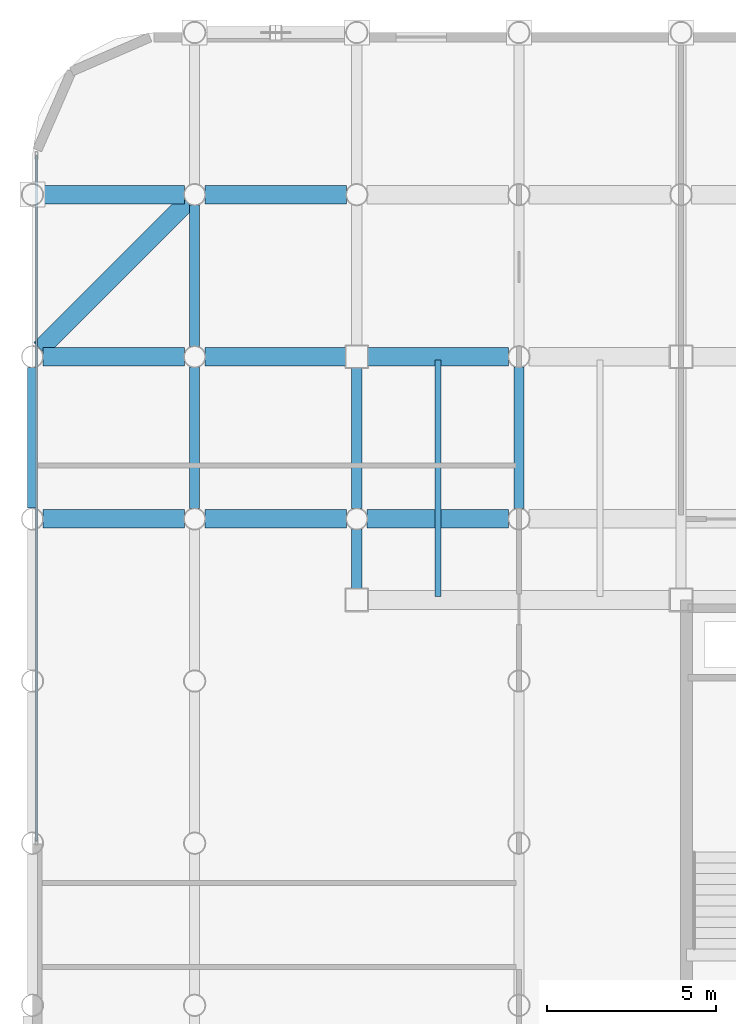
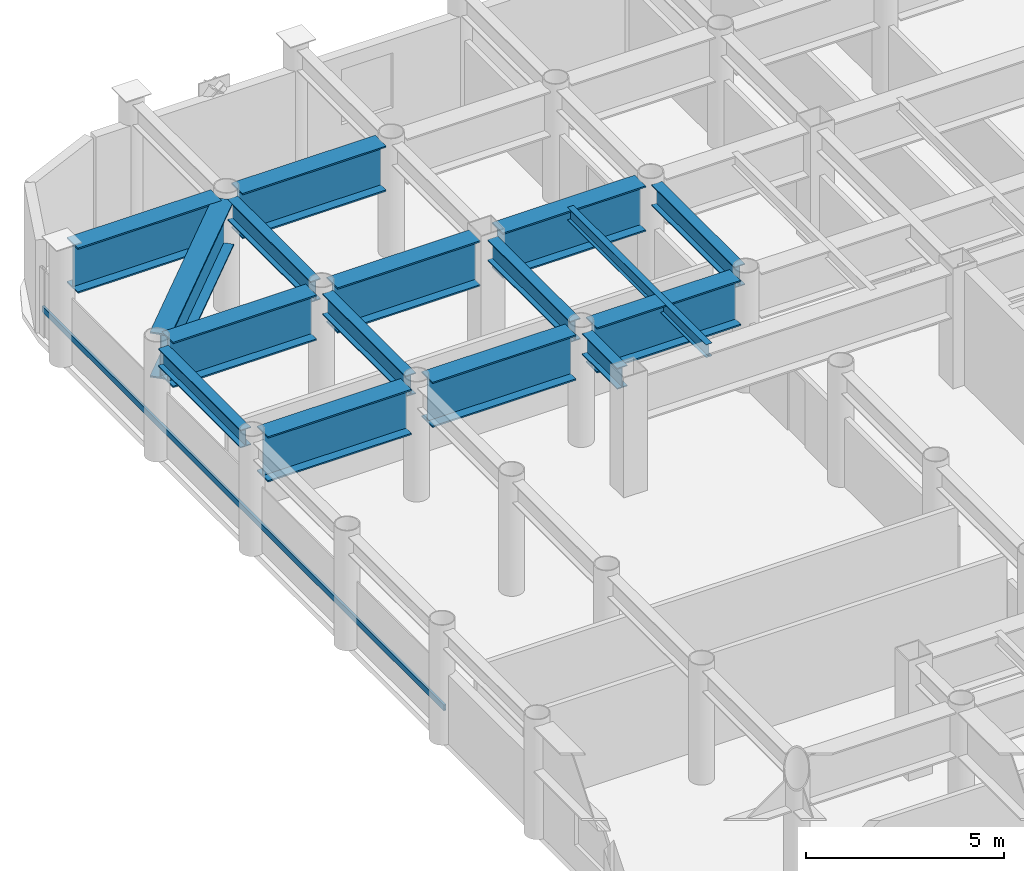
# One storey, part 11 of 24: 16 beams, 1 member, 1 element without a shape of its own.
"""IFC4 building model written with IfcOpenShell, lengths in metres."""

from ifc_helpers import new_model, si_unit, direction, frame, origin, origin_2d, place, context, subcontext, project, spatial, hollow_rectangle, i_section, extrude, material, layer, layer_set, material_profile, profile_set, type_object, element, aggregate, save


model = new_model("IFC4")

# Units and contexts
model_context = context("Model", 3, precision=1e-05, world=origin(), true_north=direction((0.0, 1.0)))
body_context = subcontext(model_context, "Body", "Model", "MODEL_VIEW")
ifc_project = project(units=[si_unit("LENGTHUNIT", "METRE"), si_unit("AREAUNIT", "SQUARE_METRE"), si_unit("VOLUMEUNIT", "CUBIC_METRE"), si_unit("PLANEANGLEUNIT", "RADIAN"), si_unit("MASSUNIT", "GRAM", prefix="KILO")], contexts=[model_context])

# Site, building, storey
site_placement = place(None, origin())
site = spatial("IfcSite", under=ifc_project, at=site_placement, CompositionType="ELEMENT")
building_placement = place(site_placement, origin())
building = spatial("IfcBuilding", under=site, at=building_placement, Name="Kallvorn Hotel Tower", CompositionType="ELEMENT")
storey_placement = place(building_placement, frame((0.0, 0.0, 150.699951171875)))
storey = spatial("IfcBuildingStorey", under=building, at=storey_placement, Name="L37", CompositionType="ELEMENT", Elevation=150.699951171875)

# Beams
ifc_material_1 = material(Name="Structural steel S355JR", Category="steel")
ifc_material_profile_1 = material_profile(ifc_material_1, i_section(OverallWidth=0.300048828125, OverallDepth=0.550048828125, WebThickness=0.014892578125, FlangeThickness=0.029052734375, at=origin_2d()), Name="HE 550 B")
ifc_profile_set_1 = profile_set([ifc_material_profile_1], Name="Structural steel S355JR")
beam_type_1 = type_object("IfcBeamType", Name="BM_HE550B", PredefinedType="SPANDREL", material=ifc_profile_set_1)
beam_1_placement = place(storey_placement, frame((-33.60009765625, 9.919921875, 3.2451171875), z_axis=(0.0, 1.0, 0.0), x_axis=(-1.0, 0.0, 0.0)))
element("IfcBeam", 1, at=beam_1_placement, inside=storey, type_object=beam_type_1, Name="L38 Perimeter Spandrel 193", PredefinedType="SPANDREL", context=body_context, shape_type="SweptSolid", body=[
    extrude(i_section(OverallWidth=0.300048828125, OverallDepth=0.550048828125, WebThickness=0.014892578125, FlangeThickness=0.029052734375, at=origin_2d()), origin(), (0.0, 0.0, 1.0), 4.16015625),
])
ifc_material_2 = material(Name="Structural steel S355JR", Category="steel")
ifc_material_profile_2 = material_profile(ifc_material_2, i_section(OverallWidth=0.300048828125, OverallDepth=0.64990234375, WebThickness=0.01611328125, FlangeThickness=0.031005859375, at=origin_2d()), Name="HE 650 B")
ifc_profile_set_2 = profile_set([ifc_material_profile_2], Name="Structural steel S355JR")
beam_type_2 = type_object("IfcBeamType", Name="BM_HE650B", PredefinedType="BEAM", material=ifc_profile_set_2)
for number, where, z_axis, x_axis, name in (
    (2, (-28.800048828125, 9.905029296875, 3.195068359375), (0.0, 1.0, 0.0), (-1.0, 0.0, 0.0), "L38 Primary Y-Girder 92"),
    (3, (-28.800048828125, 14.705078125, 3.195068359375), (0.0, 1.0, 0.0), (-1.0, 0.0, 0.0), "L38 Primary Y-Girder 93"),
):
    element("IfcBeam", number, at=place(storey_placement, frame(where, z_axis=z_axis, x_axis=x_axis)), inside=storey, type_object=beam_type_2, Name=name, PredefinedType="BEAM", context=body_context, shape_type="SweptSolid", body=[
        extrude(i_section(OverallWidth=0.300048828125, OverallDepth=0.64990234375, WebThickness=0.01611328125, FlangeThickness=0.031005859375, at=origin_2d()), origin(), (0.0, 0.0, 1.0), 4.18994140625),
    ])
beam_2_placement = place(storey_placement, frame((-24.0, 7.52490234375, 3.195068359375), z_axis=(0.0, 1.0, 0.0), x_axis=(-1.0, 0.0, 0.0)))
element("IfcBeam", 4, at=beam_2_placement, inside=storey, type_object=beam_type_2, Name="L38 Primary Y-Girder 98", PredefinedType="BEAM", context=body_context, shape_type="SweptSolid", body=[
    extrude(i_section(OverallWidth=0.300048828125, OverallDepth=0.64990234375, WebThickness=0.01611328125, FlangeThickness=0.031005859375, at=origin_2d()), origin(), (0.0, 0.0, 1.0), 1.77001953125),
])
beam_3_placement = place(storey_placement, frame((-24.0, 9.905029296875, 3.195068359375), z_axis=(0.0, 1.0, 0.0), x_axis=(-1.0, 0.0, 0.0)))
element("IfcBeam", 5, at=beam_3_placement, inside=storey, type_object=beam_type_2, Name="L38 Primary Y-Girder 99", PredefinedType="BEAM", context=body_context, shape_type="SweptSolid", body=[
    extrude(i_section(OverallWidth=0.300048828125, OverallDepth=0.64990234375, WebThickness=0.01611328125, FlangeThickness=0.031005859375, at=origin_2d()), origin(), (0.0, 0.0, 1.0), 4.169921875),
])
beam_4_placement = place(storey_placement, frame((-19.199951171875, 9.905029296875, 3.195068359375), z_axis=(0.0, 1.0, 0.0), x_axis=(-1.0, 0.0, 0.0)))
element("IfcBeam", 6, at=beam_4_placement, inside=storey, type_object=beam_type_2, Name="L38 Primary Y-Girder 108", PredefinedType="BEAM", context=body_context, shape_type="SweptSolid", body=[
    extrude(i_section(OverallWidth=0.300048828125, OverallDepth=0.64990234375, WebThickness=0.01611328125, FlangeThickness=0.031005859375, at=origin_2d()), origin(), (0.0, 0.0, 1.0), 4.18994140625),
])
ifc_material_3 = material(Name="Structural steel S355JR", Category="steel")
ifc_material_profile_3 = material_profile(ifc_material_3, i_section(OverallWidth=0.179931640625, OverallDepth=0.39990234375, WebThickness=0.008544921875, FlangeThickness=0.013427734375, at=origin_2d()), Name="IPE 400")
ifc_profile_set_3 = profile_set([ifc_material_profile_3], Name="Structural steel S355JR")
beam_type_3 = type_object("IfcBeamType", Name="BM_IPE400", PredefinedType="JOIST", material=ifc_profile_set_3)
beam_5_placement = place(storey_placement, frame((-21.60009765625, 7.300048828125, 3.320068359375), z_axis=(0.0, 1.0, 0.0), x_axis=(-1.0, 0.0, 0.0)))
element("IfcBeam", 7, at=beam_5_placement, inside=storey, type_object=beam_type_3, Name="L38 Secondary Composite Joist 206", PredefinedType="JOIST", context=body_context, shape_type="SweptSolid", body=[
    extrude(i_section(OverallWidth=0.179931640625, OverallDepth=0.39990234375, WebThickness=0.008544921875, FlangeThickness=0.013427734375, at=origin_2d()), origin(), (0.0, 0.0, 1.0), 7.0),
])
ifc_material_4 = material(Name="Structural steel S355JR", Category="steel")
ifc_material_profile_4 = material_profile(ifc_material_4, i_section(OverallWidth=0.550048828125, OverallDepth=1.39990234375, WebThickness=0.02490234375, FlangeThickness=0.044921875, at=origin_2d()), Name="PG 1400x550x25x45")
ifc_profile_set_4 = profile_set([ifc_material_profile_4], Name="Structural steel S355JR")
beam_type_4 = type_object("IfcBeamType", Name="BM_PG_1400", PredefinedType="BEAM", material=ifc_profile_set_4)
beam_6_placement = place(storey_placement, frame((-33.294921875, 9.60009765625, 2.820068359375), z_axis=(1.0, 0.0, 0.0), x_axis=(0.0, 1.0, 0.0)))
element("IfcBeam", 8, at=beam_6_placement, inside=storey, type_object=beam_type_4, Name="L38 Primary X-Girder 54", PredefinedType="BEAM", context=body_context, shape_type="SweptSolid", body=[
    extrude(i_section(OverallWidth=0.550048828125, OverallDepth=1.39990234375, WebThickness=0.02490234375, FlangeThickness=0.044921875, at=origin_2d()), origin(), (0.0, 0.0, 1.0), 4.18994140625),
])
for number, where, z_axis, x_axis, name in (
    (9, (-28.4951171875, 9.60009765625, 2.820068359375), (1.0, 0.0, 0.0), (0.0, 1.0, 0.0), "L38 Primary X-Girder 55"),
    (10, (-23.695068359375, 9.60009765625, 2.820068359375), (1.0, 0.0, 0.0), (0.0, 1.0, 0.0), "L38 Primary X-Girder 56"),
):
    element("IfcBeam", number, at=place(storey_placement, frame(where, z_axis=z_axis, x_axis=x_axis)), inside=storey, type_object=beam_type_4, Name=name, PredefinedType="BEAM", context=body_context, shape_type="SweptSolid", body=[
        extrude(i_section(OverallWidth=0.550048828125, OverallDepth=1.39990234375, WebThickness=0.02490234375, FlangeThickness=0.044921875, at=origin_2d()), origin(), (0.0, 0.0, 1.0), 4.190185546875),
    ])
beam_7_placement = place(storey_placement, frame((-33.294921875, 14.39990234375, 2.820068359375), z_axis=(1.0, 0.0, 0.0), x_axis=(0.0, 1.0, 0.0)))
element("IfcBeam", 11, at=beam_7_placement, inside=storey, type_object=beam_type_4, Name="L38 Primary X-Girder 63", PredefinedType="BEAM", context=body_context, shape_type="SweptSolid", body=[
    extrude(i_section(OverallWidth=0.550048828125, OverallDepth=1.39990234375, WebThickness=0.02490234375, FlangeThickness=0.044921875, at=origin_2d()), origin(), (0.0, 0.0, 1.0), 4.18994140625),
])
for number, where, z_axis, x_axis, name in (
    (12, (-28.4951171875, 14.39990234375, 2.820068359375), (1.0, 0.0, 0.0), (0.0, 1.0, 0.0), "L38 Primary X-Girder 64"),
    (13, (-23.675048828125, 14.39990234375, 2.820068359375), (1.0, 0.0, 0.0), (0.0, 1.0, 0.0), "L38 Primary X-Girder 65"),
):
    element("IfcBeam", number, at=place(storey_placement, frame(where, z_axis=z_axis, x_axis=x_axis)), inside=storey, type_object=beam_type_4, Name=name, PredefinedType="BEAM", context=body_context, shape_type="SweptSolid", body=[
        extrude(i_section(OverallWidth=0.550048828125, OverallDepth=1.39990234375, WebThickness=0.02490234375, FlangeThickness=0.044921875, at=origin_2d()), origin(), (0.0, 0.0, 1.0), 4.170166015625),
    ])
beam_8_placement = place(storey_placement, frame((-33.294921875, 19.199951171875, 2.820068359375), z_axis=(1.0, 0.0, 0.0), x_axis=(0.0, 1.0, 0.0)))
element("IfcBeam", 14, at=beam_8_placement, inside=storey, type_object=beam_type_4, Name="L38 Primary X-Girder 73", PredefinedType="BEAM", context=body_context, shape_type="SweptSolid", body=[
    extrude(i_section(OverallWidth=0.550048828125, OverallDepth=1.39990234375, WebThickness=0.02490234375, FlangeThickness=0.044921875, at=origin_2d()), origin(), (0.0, 0.0, 1.0), 4.18994140625),
])
beam_9_placement = place(storey_placement, frame((-28.4951171875, 19.199951171875, 2.820068359375), z_axis=(1.0, 0.0, 0.0), x_axis=(0.0, 1.0, 0.0)))
element("IfcBeam", 15, at=beam_9_placement, inside=storey, type_object=beam_type_4, Name="L38 Primary X-Girder 74", PredefinedType="BEAM", context=body_context, shape_type="SweptSolid", body=[
    extrude(i_section(OverallWidth=0.550048828125, OverallDepth=1.39990234375, WebThickness=0.02490234375, FlangeThickness=0.044921875, at=origin_2d()), origin(), (0.0, 0.0, 1.0), 4.190185546875),
])
beam_10_placement = place(storey_placement, frame((-33.373779296875, 14.626220703125, 2.820068359375), z_axis=(0.707106781187, 0.707106781187, 0.0), x_axis=(-0.707106781187, 0.707106781187, 0.0)))
element("IfcBeam", 16, at=beam_10_placement, inside=storey, type_object=beam_type_4, Name="L38 Rounded Corner Tie Beam 203", PredefinedType="BEAM", context=body_context, shape_type="SweptSolid", body=[
    extrude(i_section(OverallWidth=0.550048828125, OverallDepth=1.39990234375, WebThickness=0.02490234375, FlangeThickness=0.044921875, at=origin_2d()), origin(), (0.0, 0.0, 1.0), 6.148193359375),
])

# Curtain wall, member
ifc_material_5 = material(Name="Thermally broken black-anodised aluminium AA 6063-T6", Category="aluminium")
ifc_layer = layer(ifc_material_5, 0.2099609375)
ifc_layer_set = layer_set([ifc_layer], Name="CW_SYS_4_HOTEL_MID")
curtain_wall_type = type_object("IfcCurtainWallType", Name="CW_SYS_4_HOTEL_MID", PredefinedType="USERDEFINED", material=ifc_layer_set)
curtain_wall_placement = place(storey_placement, origin())
curtain_wall = element("IfcCurtainWall", 17, at=curtain_wall_placement, inside=storey, type_object=curtain_wall_type, Name="L37 Dark-Glass Curtain Wall CW-L37-WN", ObjectType="UNITISED CURTAIN WALL", PredefinedType="USERDEFINED")
ifc_material_6 = material(Name="Thermally broken black-anodised aluminium AA 6063-T6", Category="aluminium")
ifc_material_profile_5 = material_profile(ifc_material_6, hollow_rectangle(XDim=0.070068359375, YDim=0.179931640625, WallThickness=0.00390625, at=origin_2d()), Name="TRN 180x70")
ifc_profile_set_5 = profile_set([ifc_material_profile_5], Name="Thermally broken black-anodised aluminium AA 6063-T6")
member_type = type_object("IfcMemberType", Name="CW_TRANSOM_180x70", PredefinedType="USERDEFINED", material=ifc_profile_set_5)
member_placement = place(storey_placement, frame((-33.47998046875, 0.06005859375, 0.85009765625), z_axis=(0.0, 1.0, 0.0), x_axis=(-1.0, 0.0, 0.0)))
member = element("IfcMember", 18, at=member_placement, type_object=member_type, Name="CW-L37-WN Transom 00M", ObjectType="TRANSOM", PredefinedType="USERDEFINED", context=body_context, shape_type="SweptSolid", body=[
    extrude(hollow_rectangle(XDim=0.070068359375, YDim=0.179931640625, WallThickness=0.00390625, at=origin_2d()), origin(), (0.0, 0.0, 1.0), 20.300048828125),
])
aggregate(curtain_wall, [member])

save(model, "model.ifc")
